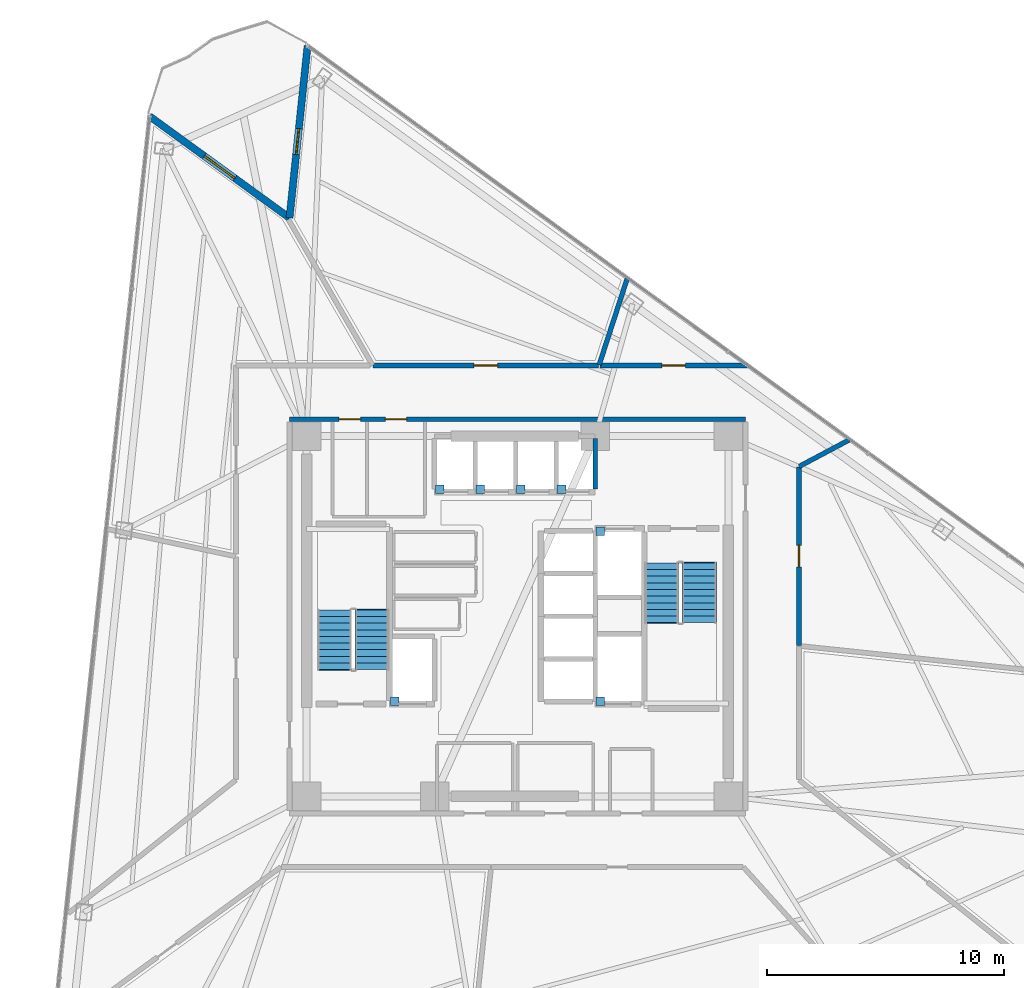
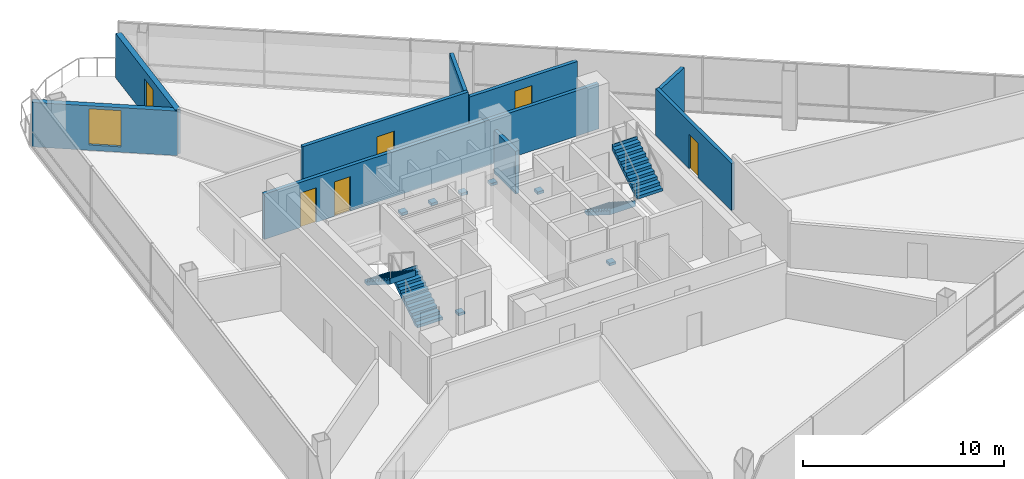
# One storey, part 13 of 19: 9 walls, 7 discrete accessories, 6 doors, 4 stair flights, 1 window, 7 openings, 2 elements without a shape of their own.
"""IFC4 building model written with IfcOpenShell, lengths in metres."""

from ifc_helpers import new_model, si_unit, direction, frame, frame_2d, origin, origin_2d, place, context, subcontext, project, spatial, polyline, rectangle, outline, extrude, material, layer, layer_set, type_object, element, fill, aggregate, save


model = new_model("IFC4")

# Units and contexts
model_context = context("Model", 3, precision=1e-05, world=origin(), true_north=direction((0.0, 1.0)))
body_context = subcontext(model_context, "Body", "Model", "MODEL_VIEW")
ifc_project = project(units=[si_unit("LENGTHUNIT", "METRE"), si_unit("AREAUNIT", "SQUARE_METRE"), si_unit("VOLUMEUNIT", "CUBIC_METRE"), si_unit("PLANEANGLEUNIT", "RADIAN"), si_unit("MASSUNIT", "GRAM", prefix="KILO")], contexts=[model_context])

# Site, building, storey
site_placement = place(None, origin())
site = spatial("IfcSite", under=ifc_project, at=site_placement, CompositionType="ELEMENT")
building_placement = place(site_placement, origin())
building = spatial("IfcBuilding", under=site, at=building_placement, Name="Tharavind Bronze Gate", CompositionType="ELEMENT")
storey_placement = place(building_placement, frame((0.0, 0.0, 126.85009765625)))
storey = spatial("IfcBuildingStorey", under=building, at=storey_placement, Name="L32", CompositionType="ELEMENT", Elevation=126.85009765625)

# Wall, opening, door
ifc_material_1 = material(Name="Concrete C40/50", Category="concrete")
ifc_layer_1 = layer(ifc_material_1, 0.300048828125)
ifc_layer_set_1 = layer_set([ifc_layer_1], Name="Concrete C40/50")
wall_type_1 = type_object("IfcWallType", Name="EXTERIOR SPANDREL WALL 300", PredefinedType="STANDARD", material=ifc_layer_set_1)
wall_1_placement = place(storey_placement, frame((-8.85888671875, 24.07080078125, 0.0), z_axis=(0.0, 0.0, 1.0), x_axis=(-0.104512431924, -0.9945235802, 0.0)))
wall_1 = element("IfcWall", 1, at=wall_1_placement, inside=storey, type_object=wall_type_1, Name="L32 notch cheek wall 1A", PredefinedType="STANDARD", context=body_context, shape_type="SweptSolid", body=[
    extrude(rectangle(XDim=7.300048828125, YDim=0.300048828125, at=frame_2d((3.64990234375, 0.0))), origin(), (0.0, 0.0, 1.0), 2.704833984375),
])
opening_1_placement = place(wall_1_placement, frame((3.508056640625, 0.0, 0.0)))
opening_1 = element("IfcOpeningElement", 2, at=opening_1_placement, cuts=wall_1, Name="Opening ED04", PredefinedType="OPENING", context=body_context, shape_type="SweptSolid", body=[
    extrude(rectangle(XDim=1.10009765625, YDim=2.199951171875, at=frame_2d((0.550048828125, 1.10009765625))), frame((0.0, 0.15990234375, 0.0), z_axis=(0.0, -1.0, 0.0), x_axis=(1.0, 0.0, 0.0)), (0.0, 0.0, 1.0), 0.320048828125),
])
ifc_material_2 = material(Name="Bronze Aluminium & Toughened Glass", Category="aluminium")
door_type_1 = type_object("IfcDoorType", Name="TREE BALCONY ACCESS DOOR 1100X2200", OperationType="SINGLE_SWING_LEFT", PredefinedType="DOOR", material=ifc_material_2)
door_1_placement = place(opening_1_placement, origin())
door_1 = element("IfcDoor", 3, at=door_1_placement, inside=storey, type_object=door_type_1, Name="L32 tree balcony access door", OperationType="SINGLE_SWING_LEFT", OverallHeight=2.199951171875, OverallWidth=1.10009765625, PredefinedType="DOOR", context=body_context, shape_type="SweptSolid", body=[
    extrude(rectangle(XDim=1.10009765625, YDim=2.199951171875, at=frame_2d((0.550048828125, 1.10009765625))), frame((0.0, 0.02490234375, 0.0), z_axis=(0.0, -1.0, 0.0), x_axis=(1.0, 0.0, 0.0)), (0.0, 0.0, 1.0), 0.050048828125),
])
fill(opening_1, door_1)

# Wall, opening, window
wall_2_placement = place(storey_placement, frame((-9.621826171875, 16.810791015625, 0.0), z_axis=(0.0, 0.0, 1.0), x_axis=(-0.809002104592, 0.587805745775, 0.0)))
wall_2 = element("IfcWall", 4, at=wall_2_placement, inside=storey, type_object=wall_type_1, Name="L32 notch cheek wall 1B", PredefinedType="STANDARD", context=body_context, shape_type="SweptSolid", body=[
    extrude(rectangle(XDim=7.300048828125, YDim=0.300048828125, at=frame_2d((3.64990234375, 0.0))), origin(), (0.0, 0.0, 1.0), 2.704833984375),
])
opening_2_placement = place(wall_2_placement, frame((2.85009765625, 0.0, 0.324951171875)))
opening_2 = element("IfcOpeningElement", 5, at=opening_2_placement, cuts=wall_2, Name="Opening W05", PredefinedType="OPENING", context=body_context, shape_type="SweptSolid", body=[
    extrude(rectangle(XDim=1.60009765625, YDim=2.199951171875, at=frame_2d((0.800048828125, 1.10009765625))), frame((0.0, 0.15990234375, 0.0), z_axis=(0.0, -1.0, 0.0), x_axis=(1.0, 0.0, 0.0)), (0.0, 0.0, 1.0), 0.320048828125),
])
ifc_material_3 = material(Name="Bronze Aluminium & Low-E Glass", Category="aluminium")
window_type = type_object("IfcWindowType", Name="OFFICE NOTCH BRONZE WINDOW 1600X2200", PartitioningType="DOUBLE_PANEL_VERTICAL", PredefinedType="WINDOW", material=ifc_material_3)
window_placement = place(opening_2_placement, origin())
window = element("IfcWindow", 6, at=window_placement, inside=storey, type_object=window_type, Name="L32 exterior window WL-L32-NCB1-01", OverallHeight=2.199951171875, OverallWidth=1.60009765625, PartitioningType="SINGLE_PANEL", PredefinedType="WINDOW", context=body_context, shape_type="SweptSolid", body=[
    extrude(rectangle(XDim=1.60009765625, YDim=2.199951171875, at=frame_2d((0.800048828125, 1.10009765625))), frame((0.0, 0.030029296875, 0.0), z_axis=(0.0, -1.0, 0.0), x_axis=(1.0, 0.0, 0.0)), (0.0, 0.0, 1.0), 0.06005859375),
])
fill(opening_2, window)

# Wall, openings, doors
ifc_material_4 = material(Name="Aerated Concrete Block", Category="concrete")
ifc_layer_2 = layer(ifc_material_4, 0.199951171875)
ifc_layer_set_2 = layer_set([ifc_layer_2], Name="Aerated Concrete Block")
wall_type_2 = type_object("IfcWallType", Name="FIRE RATED PARTITION 200", PredefinedType="PARTITIONING", material=ifc_layer_set_2)
wall_3_placement = place(storey_placement, frame((9.6201171875, 8.320068359375, 0.0), z_axis=(0.0, 0.0, 1.0), x_axis=(-1.0, 0.0, 0.0)))
wall_3 = element("IfcWall", 7, at=wall_3_placement, inside=storey, type_object=wall_type_2, Name="L32 north core corridor wall", PredefinedType="PARTITIONING", context=body_context, shape_type="SweptSolid", body=[
    extrude(rectangle(XDim=19.240234375, YDim=0.199951171875, at=frame_2d((9.6201171875, 0.0))), origin(), (0.0, 0.0, 1.0), 2.7548828125),
])
opening_3_placement = place(wall_3_placement, frame((16.2451171875, 0.0, 0.0)))
opening_3 = element("IfcOpeningElement", 8, at=opening_3_placement, cuts=wall_3, Name="Opening ID07", PredefinedType="OPENING", context=body_context, shape_type="SweptSolid", body=[
    extrude(rectangle(XDim=0.89990234375, YDim=2.10009765625, at=frame_2d((0.449951171875, 1.050048828125))), frame((0.0, 0.11009765625, 0.0), z_axis=(0.0, -1.0, 0.0), x_axis=(1.0, 0.0, 0.0)), (0.0, 0.0, 1.0), 0.219951171875),
])
opening_4_placement = place(wall_3_placement, frame((14.294921875, 0.0, 0.0)))
opening_4 = element("IfcOpeningElement", 9, at=opening_4_placement, cuts=wall_3, Name="Opening ID07", PredefinedType="OPENING", context=body_context, shape_type="SweptSolid", body=[
    extrude(rectangle(XDim=0.89990234375, YDim=2.10009765625, at=frame_2d((0.449951171875, 1.050048828125))), frame((0.0, 0.11009765625, 0.0), z_axis=(0.0, -1.0, 0.0), x_axis=(1.0, 0.0, 0.0)), (0.0, 0.0, 1.0), 0.219951171875),
])
ifc_material_5 = material(Name="Galvanised Fire Steel", Category="steel")
door_type_2 = type_object("IfcDoorType", Name="PLANT AND RISER FIRE DOOR 900X2100", OperationType="SINGLE_SWING_LEFT", PredefinedType="DOOR", material=ifc_material_5)
door_2_placement = place(opening_3_placement, frame((0.89990234375, 0.0, 0.0), z_axis=(0.0, 0.0, 1.0), x_axis=(-1.0, 0.0, 0.0)))
door_2 = element("IfcDoor", 10, at=door_2_placement, inside=storey, type_object=door_type_2, Name="L32 Battery Backup Cupboard fire door", OperationType="SINGLE_SWING_LEFT", OverallHeight=2.10009765625, OverallWidth=0.89990234375, PredefinedType="DOOR", context=body_context, shape_type="SweptSolid", body=[
    extrude(rectangle(XDim=0.89990234375, YDim=2.10009765625, at=frame_2d((0.449951171875, 1.050048828125))), frame((0.0, 0.02490234375, 0.0), z_axis=(0.0, -1.0, 0.0), x_axis=(1.0, 0.0, 0.0)), (0.0, 0.0, 1.0), 0.050048828125),
])
fill(opening_3, door_2)
door_3_placement = place(opening_4_placement, frame((0.89990234375, 0.0, 0.0), z_axis=(0.0, 0.0, 1.0), x_axis=(-1.0, 0.0, 0.0)))
door_3 = element("IfcDoor", 11, at=door_3_placement, inside=storey, type_object=door_type_2, Name="L32 Cleaner Store Room fire door", OperationType="SINGLE_SWING_LEFT", OverallHeight=2.10009765625, OverallWidth=0.89990234375, PredefinedType="DOOR", context=body_context, shape_type="SweptSolid", body=[
    extrude(rectangle(XDim=0.89990234375, YDim=2.10009765625, at=frame_2d((0.449951171875, 1.050048828125))), frame((0.0, 0.02490234375, 0.0), z_axis=(0.0, -1.0, 0.0), x_axis=(1.0, 0.0, 0.0)), (0.0, 0.0, 1.0), 0.050048828125),
])
fill(opening_4, door_3)

# Wall, opening, door
wall_4_placement = place(storey_placement, frame((9.7099609375, 10.580078125, 0.0), z_axis=(0.0, 0.0, 1.0), x_axis=(-1.0, 0.0, 0.0)))
wall_4 = element("IfcWall", 12, at=wall_4_placement, inside=storey, type_object=wall_type_2, Name="L32 Trading Desk Open Office partition", PredefinedType="PARTITIONING", context=body_context, shape_type="SweptSolid", body=[
    extrude(rectangle(XDim=6.23779296875, YDim=0.199951171875, at=frame_2d((3.118896484375, 0.0))), origin(), (0.0, 0.0, 1.0), 2.704833984375),
])
opening_5_placement = place(wall_4_placement, frame((2.618896484375, 0.0, 0.0)))
opening_5 = element("IfcOpeningElement", 13, at=opening_5_placement, cuts=wall_4, Name="Opening ID04", PredefinedType="OPENING", context=body_context, shape_type="SweptSolid", body=[
    extrude(rectangle(XDim=1.0, YDim=2.14990234375, at=frame_2d((0.5, 1.074951171875))), frame((0.0, 0.11009765625, 0.0), z_axis=(0.0, -1.0, 0.0), x_axis=(1.0, 0.0, 0.0)), (0.0, 0.0, 1.0), 0.219951171875),
])
ifc_material_6 = material(Name="Bronze Framed Acoustic Timber", Category="wood")
door_type_3 = type_object("IfcDoorType", Name="OFFICE TENANCY DOOR 1000X2150", OperationType="SINGLE_SWING_RIGHT", PredefinedType="DOOR", material=ifc_material_6)
door_4_placement = place(opening_5_placement, origin())
door_4 = element("IfcDoor", 14, at=door_4_placement, inside=storey, type_object=door_type_3, Name="L32 Trading Desk Open Office door", OperationType="SINGLE_SWING_RIGHT", OverallHeight=2.14990234375, OverallWidth=1.0, PredefinedType="DOOR", context=body_context, shape_type="SweptSolid", body=[
    extrude(rectangle(XDim=1.0, YDim=2.14990234375, at=frame_2d((0.5, 1.074951171875))), frame((0.0, 0.02490234375, 0.0), z_axis=(0.0, -1.0, 0.0), x_axis=(1.0, 0.0, 0.0)), (0.0, 0.0, 1.0), 0.050048828125),
])
fill(opening_5, door_4)

# Wall
wall_5_placement = place(storey_placement, frame((3.4482421875, 10.61279296875, 0.0), z_axis=(0.0, 0.0, 1.0), x_axis=(0.309031469119, 0.951051813044, 0.0)))
element("IfcWall", 15, at=wall_5_placement, inside=storey, type_object=wall_type_2, Name="L32 Trading Desk Open Office partition", PredefinedType="PARTITIONING", context=body_context, shape_type="SweptSolid", body=[
    extrude(rectangle(XDim=3.841796875, YDim=0.199951171875, at=frame_2d((1.9208984375, 0.0))), origin(), (0.0, 0.0, 1.0), 2.704833984375),
])

# Wall, opening, door
wall_6_placement = place(storey_placement, frame((3.41943359375, 10.580078125, 0.0), z_axis=(0.0, 0.0, 1.0), x_axis=(-1.0, 0.0, 0.0)))
wall_6 = element("IfcWall", 16, at=wall_6_placement, inside=storey, type_object=wall_type_2, Name="L32 Risk Analytics Office partition", PredefinedType="PARTITIONING", context=body_context, shape_type="SweptSolid", body=[
    extrude(rectangle(XDim=9.513427734375, YDim=0.199951171875, at=frame_2d((4.7568359375, 0.0))), origin(), (0.0, 0.0, 1.0), 3.044921875),
])
opening_6_placement = place(wall_6_placement, frame((4.257080078125, 0.0, 0.0)))
opening_6 = element("IfcOpeningElement", 17, at=opening_6_placement, cuts=wall_6, Name="Opening ID04", PredefinedType="OPENING", context=body_context, shape_type="SweptSolid", body=[
    extrude(rectangle(XDim=1.0, YDim=2.14990234375, at=frame_2d((0.5, 1.074951171875))), frame((0.0, 0.11009765625, 0.0), z_axis=(0.0, -1.0, 0.0), x_axis=(1.0, 0.0, 0.0)), (0.0, 0.0, 1.0), 0.219951171875),
])
door_5_placement = place(opening_6_placement, origin())
door_5 = element("IfcDoor", 18, at=door_5_placement, inside=storey, type_object=door_type_3, Name="L32 Risk Analytics Office door", OperationType="SINGLE_SWING_RIGHT", OverallHeight=2.14990234375, OverallWidth=1.0, PredefinedType="DOOR", context=body_context, shape_type="SweptSolid", body=[
    extrude(rectangle(XDim=1.0, YDim=2.14990234375, at=frame_2d((0.5, 1.074951171875))), frame((0.0, 0.02490234375, 0.0), z_axis=(0.0, -1.0, 0.0), x_axis=(1.0, 0.0, 0.0)), (0.0, 0.0, 1.0), 0.050048828125),
])
fill(opening_6, door_5)

wall_7_placement = place(storey_placement, frame((11.8798828125, -1.22607421875, 0.0), z_axis=(0.0, 0.0, 1.0), x_axis=(0.0, 1.0, 0.0)))
wall_7 = element("IfcWall", 19, at=wall_7_placement, inside=storey, type_object=wall_type_2, Name="L32 Server Equipment Room partition", PredefinedType="PARTITIONING", context=body_context, shape_type="SweptSolid", body=[
    extrude(rectangle(XDim=7.52783203125, YDim=0.199951171875, at=frame_2d((3.763916015625, 0.0))), origin(), (0.0, 0.0, 1.0), 2.85498046875),
])
opening_7_placement = place(wall_7_placement, frame((3.31396484375, 0.0, 0.0)))
opening_7 = element("IfcOpeningElement", 20, at=opening_7_placement, cuts=wall_7, Name="Opening ID07", PredefinedType="OPENING", context=body_context, shape_type="SweptSolid", body=[
    extrude(rectangle(XDim=0.89990234375, YDim=2.10009765625, at=frame_2d((0.449951171875, 1.050048828125))), frame((0.0, 0.11009765625, 0.0), z_axis=(0.0, -1.0, 0.0), x_axis=(1.0, 0.0, 0.0)), (0.0, 0.0, 1.0), 0.219951171875),
])
door_6_placement = place(opening_7_placement, origin())
door_6 = element("IfcDoor", 21, at=door_6_placement, inside=storey, type_object=door_type_2, Name="L32 Server Equipment Room door", OperationType="SINGLE_SWING_LEFT", OverallHeight=2.10009765625, OverallWidth=0.89990234375, PredefinedType="DOOR", context=body_context, shape_type="SweptSolid", body=[
    extrude(rectangle(XDim=0.89990234375, YDim=2.10009765625, at=frame_2d((0.449951171875, 1.050048828125))), frame((0.0, 0.02490234375, 0.0), z_axis=(0.0, -1.0, 0.0), x_axis=(1.0, 0.0, 0.0)), (0.0, 0.0, 1.0), 0.050048828125),
])
fill(opening_7, door_6)

# Walls
wall_8_placement = place(storey_placement, frame((11.893310546875, 6.32373046875, 0.0), z_axis=(0.0, 0.0, 1.0), x_axis=(0.882960772141, 0.469446775321, 0.0)))
element("IfcWall", 22, at=wall_8_placement, inside=storey, type_object=wall_type_2, Name="L32 Server Equipment Room partition", PredefinedType="PARTITIONING", context=body_context, shape_type="SweptSolid", body=[
    extrude(rectangle(XDim=2.3876953125, YDim=0.199951171875, at=frame_2d((1.19384765625, 0.0))), origin(), (0.0, 0.0, 1.0), 2.704833984375),
])
ifc_layer_3 = layer(ifc_material_1, 0.199951171875)
ifc_layer_set_3 = layer_set([ifc_layer_3], Name="Concrete C40/50")
wall_type_3 = type_object("IfcWallType", Name="SHAFT ENCLOSURE WALL 200", PredefinedType="PARTITIONING", material=ifc_layer_set_3)
wall_9_placement = place(storey_placement, frame((3.280029296875, 5.3798828125, 0.0), z_axis=(0.0, 0.0, 1.0), x_axis=(0.0, 1.0, 0.0)))
element("IfcWall", 23, at=wall_9_placement, inside=storey, type_object=wall_type_3, Name="L32 lift PL8 shaft E enclosure wall", PredefinedType="PARTITIONING", context=body_context, shape_type="SweptSolid", body=[
    extrude(rectangle(XDim=2.115234375, YDim=0.199951171875, at=frame_2d((1.0576171875, 0.0))), origin(), (0.0, 0.0, 1.0), 2.60498046875),
])

# Stair, stair flights
stair_type = type_object("IfcStairType", Name="CORE HALF TURN STAIR 1450", PredefinedType="HALF_TURN_STAIR", material=ifc_material_1)
stair_1_placement = place(storey_placement, origin())
stair_1 = element("IfcStair", 24, at=stair_1_placement, inside=storey, type_object=stair_type, Name="L32 Protected Exit Stair ST1", PredefinedType="HALF_TURN_STAIR")
stair_flight_type = type_object("IfcStairFlightType", Name="CORE STAIR FLIGHT 1450", PredefinedType="STRAIGHT", material=ifc_material_1)
stair_flight_1_placement = place(storey_placement, frame((-6.125, -2.25, 0.0), z_axis=(0.0, 0.0, 1.0), x_axis=(0.0, 1.0, 0.0)))
stair_flight_1 = element("IfcStairFlight", 25, at=stair_flight_1_placement, type_object=stair_flight_type, Name="ST1 flight 1", NumberOfRisers=10, NumberOfTreads=9, PredefinedType="STRAIGHT", RiserHeight=0.18, TreadLength=0.28, context=body_context, shape_type="SweptSolid", body=[
    extrude(outline(polyline([(0.0, 0.0), (0.0, 0.179931640625), (0.280029296875, 0.179931640625), (0.280029296875, 0.360107421875), (0.56005859375, 0.360107421875), (0.56005859375, 0.5400390625), (0.840087890625, 0.5400390625), (0.840087890625, 0.719970703125), (1.1201171875, 0.719970703125), (1.1201171875, 0.89990234375), (1.39990234375, 0.89990234375), (1.39990234375, 1.080078125), (1.679931640625, 1.080078125), (1.679931640625, 1.260009765625), (1.9599609375, 1.260009765625), (1.9599609375, 1.43994140625), (2.239990234375, 1.43994140625), (2.239990234375, 1.6201171875), (2.52001953125, 1.6201171875), (2.52001953125, 1.800048828125), (2.555908203125, 1.800048828125), (2.555908203125, 1.44189453125), (0.277099609375, 0.0), (0.0, 0.0)])), frame((0.0, 0.72509765625, 0.0), z_axis=(0.0, -1.0, 0.0), x_axis=(1.0, 0.0, 0.0)), (0.0, 0.0, 1.0), 1.449951171875),
])
stair_flight_2_placement = place(storey_placement, frame((-7.72509765625, 0.27001953125, 1.7998046875), z_axis=(0.0, 0.0, 1.0), x_axis=(0.0, -1.0, 0.0)))
stair_flight_2 = element("IfcStairFlight", 26, at=stair_flight_2_placement, type_object=stair_flight_type, Name="ST1 flight 2", NumberOfRisers=10, NumberOfTreads=9, PredefinedType="STRAIGHT", RiserHeight=0.18, TreadLength=0.28, context=body_context, shape_type="SweptSolid", body=[
    extrude(outline(polyline([(0.0, 0.0), (0.0, 0.179931640625), (0.280029296875, 0.179931640625), (0.280029296875, 0.360107421875), (0.56005859375, 0.360107421875), (0.56005859375, 0.5400390625), (0.840087890625, 0.5400390625), (0.840087890625, 0.719970703125), (1.1201171875, 0.719970703125), (1.1201171875, 0.89990234375), (1.39990234375, 0.89990234375), (1.39990234375, 1.080078125), (1.679931640625, 1.080078125), (1.679931640625, 1.260009765625), (1.9599609375, 1.260009765625), (1.9599609375, 1.43994140625), (2.239990234375, 1.43994140625), (2.239990234375, 1.6201171875), (2.52001953125, 1.6201171875), (2.52001953125, 1.800048828125), (2.555908203125, 1.800048828125), (2.555908203125, 1.44189453125), (0.277099609375, 0.0), (0.0, 0.0)])), frame((0.0, 0.72509765625, 0.0), z_axis=(0.0, -1.0, 0.0), x_axis=(1.0, 0.0, 0.0)), (0.0, 0.0, 1.0), 1.449951171875),
])
aggregate(stair_1, [stair_flight_1, stair_flight_2])

stair_2_placement = place(storey_placement, origin())
stair_2 = element("IfcStair", 27, at=stair_2_placement, inside=storey, type_object=stair_type, Name="L32 Protected Exit Stair ST2", PredefinedType="HALF_TURN_STAIR")
stair_flight_3_placement = place(storey_placement, frame((6.074951171875, 2.25, 0.0), z_axis=(0.0, 0.0, 1.0), x_axis=(0.0, -1.0, 0.0)))
stair_flight_3 = element("IfcStairFlight", 28, at=stair_flight_3_placement, type_object=stair_flight_type, Name="ST2 flight 1", NumberOfRisers=10, NumberOfTreads=9, PredefinedType="STRAIGHT", RiserHeight=0.18, TreadLength=0.28, context=body_context, shape_type="SweptSolid", body=[
    extrude(outline(polyline([(0.0, 0.0), (0.0, 0.179931640625), (0.280029296875, 0.179931640625), (0.280029296875, 0.360107421875), (0.56005859375, 0.360107421875), (0.56005859375, 0.5400390625), (0.840087890625, 0.5400390625), (0.840087890625, 0.719970703125), (1.1201171875, 0.719970703125), (1.1201171875, 0.89990234375), (1.39990234375, 0.89990234375), (1.39990234375, 1.080078125), (1.679931640625, 1.080078125), (1.679931640625, 1.260009765625), (1.9599609375, 1.260009765625), (1.9599609375, 1.43994140625), (2.239990234375, 1.43994140625), (2.239990234375, 1.6201171875), (2.52001953125, 1.6201171875), (2.52001953125, 1.800048828125), (2.555908203125, 1.800048828125), (2.555908203125, 1.44189453125), (0.277099609375, 0.0), (0.0, 0.0)])), frame((0.0, 0.72509765625, 0.0), z_axis=(0.0, -1.0, 0.0), x_axis=(1.0, 0.0, 0.0)), (0.0, 0.0, 1.0), 1.449951171875),
])
stair_flight_4_placement = place(storey_placement, frame((7.675048828125, -0.27001953125, 1.7998046875), z_axis=(0.0, 0.0, 1.0), x_axis=(0.0, 1.0, 0.0)))
stair_flight_4 = element("IfcStairFlight", 29, at=stair_flight_4_placement, type_object=stair_flight_type, Name="ST2 flight 2", NumberOfRisers=10, NumberOfTreads=9, PredefinedType="STRAIGHT", RiserHeight=0.18, TreadLength=0.28, context=body_context, shape_type="SweptSolid", body=[
    extrude(outline(polyline([(0.0, 0.0), (0.0, 0.179931640625), (0.280029296875, 0.179931640625), (0.280029296875, 0.360107421875), (0.56005859375, 0.360107421875), (0.56005859375, 0.5400390625), (0.840087890625, 0.5400390625), (0.840087890625, 0.719970703125), (1.1201171875, 0.719970703125), (1.1201171875, 0.89990234375), (1.39990234375, 0.89990234375), (1.39990234375, 1.080078125), (1.679931640625, 1.080078125), (1.679931640625, 1.260009765625), (1.9599609375, 1.260009765625), (1.9599609375, 1.43994140625), (2.239990234375, 1.43994140625), (2.239990234375, 1.6201171875), (2.52001953125, 1.6201171875), (2.52001953125, 1.800048828125), (2.555908203125, 1.800048828125), (2.555908203125, 1.44189453125), (0.277099609375, 0.0), (0.0, 0.0)])), frame((0.0, 0.72509765625, 0.0), z_axis=(0.0, -1.0, 0.0), x_axis=(1.0, 0.0, 0.0)), (0.0, 0.0, 1.0), 1.449951171875),
])
aggregate(stair_2, [stair_flight_3, stair_flight_4])

# Discrete accessories
ifc_material_7 = material(Name="Galvanised Steel S355", Category="steel")
discrete_accessory_type = type_object("IfcDiscreteAccessoryType", Name="LIFT GUIDE RAIL BRACKET", PredefinedType="BRACKET", material=ifc_material_7)
for number, where, z_axis, x_axis, name in (
    (30, (-3.280029296875, 5.3701171875, 1.1201171875), (0.0, 0.0, 1.0), (1.0, 0.0, 0.0), "Lift PL5 guide rail bracket at L32"),
    (31, (-1.5673828125, 5.3701171875, 1.1201171875), (0.0, 0.0, 1.0), (1.0, 0.0, 0.0), "Lift PL6 guide rail bracket at L32"),
    (32, (0.14501953125, 5.3701171875, 1.1201171875), (0.0, 0.0, 1.0), (1.0, 0.0, 0.0), "Lift PL7 guide rail bracket at L32"),
    (33, (1.857421875, 5.3701171875, 1.1201171875), (0.0, 0.0, 1.0), (1.0, 0.0, 0.0), "Lift PL8 guide rail bracket at L32"),
    (34, (-5.179931640625, -3.580078125, 1.1201171875), (0.0, 0.0, 1.0), (1.0, 0.0, 0.0), "Lift FFL1 guide rail bracket at L32"),
    (35, (3.5, 3.580078125, 1.1201171875), (0.0, 0.0, 1.0), (1.0, 0.0, 0.0), "Lift FFL2 guide rail bracket at L32"),
    (36, (3.5, -3.580078125, 1.1201171875), (0.0, 0.0, 1.0), (1.0, 0.0, 0.0), "Lift SVL1 guide rail bracket at L32"),
):
    element("IfcDiscreteAccessory", number, at=place(storey_placement, frame(where, z_axis=z_axis, x_axis=x_axis)), inside=storey, type_object=discrete_accessory_type, Name=name, PredefinedType="BRACKET", context=body_context, shape_type="SweptSolid", body=[
        extrude(rectangle(XDim=0.360107421875, YDim=0.360107421875, at=origin_2d()), origin(), (0.0, 0.0, 1.0), 0.159912109375),
    ])

save(model, "model.ifc")
